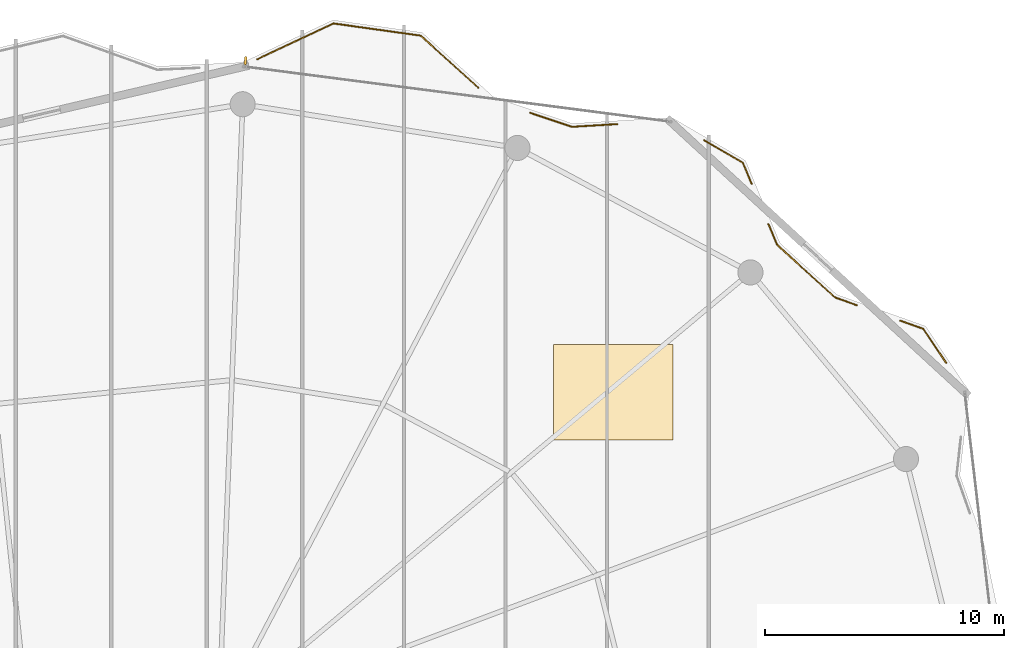
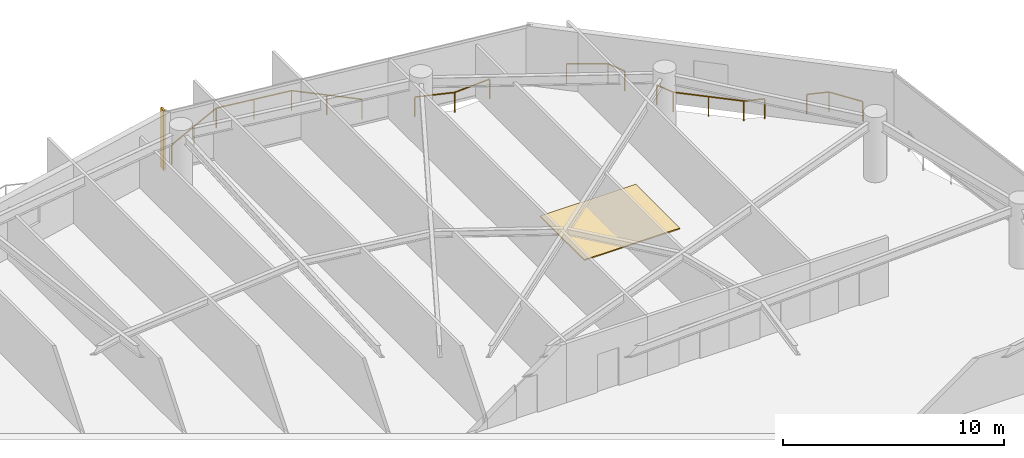
# One storey, part 31 of 31: 5 railings, 1 covering, 1 shading device.
"""IFC4 building model written with IfcOpenShell, lengths in metres."""

import ifcopenshell
import ifcopenshell.guid

model = None  # the IFC model being written
_history = None  # IfcOwnerHistory: only IFC2X3 demands one
_inside = {}  # id of a spatial element -> (the spatial element, [elements in it])
_under = {}  # id of a project, library or spatial element -> (it, [spatial elements below it])
_declared = {}  # id of a project -> (the project, [libraries it declares])
_typed = {}  # id of a type object -> (the type object, [elements of that type])
_made_of = {}  # id of a material, layer set ... -> (it, [elements and type objects made of it])


def new_model(schema):
    """Start an empty IFC model of exactly this schema.

    Asked for "IFC4X3", IfcOpenShell would pick the latest addendum, in which some entities
    have other attributes; the version numbers below select the first issue.
    IFC2X3 requires an IfcOwnerHistory on every rooted entity: one is made here for all.
    """
    global model, _history
    if schema == "IFC4X3":
        model = ifcopenshell.file(schema_version=(4, 3, 0, 0))
    else:
        model = ifcopenshell.file(schema=schema)
    _inside.clear()
    _under.clear()
    _declared.clear()
    _typed.clear()
    _made_of.clear()
    _history = None
    if model.schema == "IFC2X3":
        org = make("IfcOrganization", Name="unknown")
        user = make(
            "IfcPersonAndOrganization",
            ThePerson=make("IfcPerson", FamilyName="unknown"),
            TheOrganization=org,
        )
        app = make(
            "IfcApplication",
            ApplicationDeveloper=org,
            Version="unknown",
            ApplicationFullName="unknown",
            ApplicationIdentifier="unknown",
        )
        _history = make(
            "IfcOwnerHistory",
            OwningUser=user,
            OwningApplication=app,
            ChangeAction="ADDED",
            CreationDate=0,
        )
    return model


def make(cls, **values):
    """One entity of the class cls with the attributes given. An attribute that is None is left unset."""
    return model.create_entity(
        cls, **{name: value for name, value in values.items() if value is not None}
    )


def rooted(cls, **values):
    """An entity with a GlobalId (a new one), such as an element, a storey or a relation."""
    return make(cls, GlobalId=ifcopenshell.guid.new(), OwnerHistory=_history, **values)


def si_unit(unit_type, name, prefix=None):
    """IfcSIUnit, for example si_unit("LENGTHUNIT", "METRE", prefix="MILLI")."""
    return make("IfcSIUnit", UnitType=unit_type, Prefix=prefix, Name=name)


def assignment(units):
    """IfcUnitAssignment: the units of a project."""
    return None if units is None else make("IfcUnitAssignment", Units=units)


def point(xyz):
    """IfcCartesianPoint."""
    return None if xyz is None else make("IfcCartesianPoint", Coordinates=xyz)


def direction(xyz):
    """IfcDirection."""
    return None if xyz is None else make("IfcDirection", DirectionRatios=xyz)


def frame(location, z_axis=None, x_axis=None):
    """IfcAxis2Placement3D, a coordinate frame: its origin and axes. An axis left out is left unset."""
    return make(
        "IfcAxis2Placement3D",
        Location=point(location),
        Axis=direction(z_axis),
        RefDirection=direction(x_axis),
    )


def frame_2d(location, x_axis=None):
    """IfcAxis2Placement2D, a coordinate frame in the plane: its origin and x axis."""
    return make(
        "IfcAxis2Placement2D", Location=point(location), RefDirection=direction(x_axis)
    )


def origin():
    """The frame at (0, 0, 0) with its axes left unset."""
    return frame((0.0, 0.0, 0.0))


def origin_2d():
    """The frame at (0, 0) in the plane with its x axis left unset."""
    return frame_2d((0.0, 0.0))


def place(relative_to, where):
    """IfcLocalPlacement: puts the frame where relative to a parent placement (None: the world)."""
    return make(
        "IfcLocalPlacement", PlacementRelTo=relative_to, RelativePlacement=where
    )


def context(
    kind, dimensions, precision=None, world=None, true_north=None, identifier=None
):
    """IfcGeometricRepresentationContext, for example the 3D "Model" context."""
    return make(
        "IfcGeometricRepresentationContext",
        ContextIdentifier=identifier,
        ContextType=kind,
        CoordinateSpaceDimension=dimensions,
        Precision=precision,
        WorldCoordinateSystem=world,
        TrueNorth=true_north,
    )


def subcontext(parent, identifier, kind, view, scale=None):
    """IfcGeometricRepresentationSubContext, for example "Body" below "Model"."""
    return make(
        "IfcGeometricRepresentationSubContext",
        ContextIdentifier=identifier,
        ContextType=kind,
        ParentContext=parent,
        TargetScale=scale,
        TargetView=view,
    )


def project(units=None, contexts=None):
    """IfcProject with its units and contexts."""
    return rooted(
        "IfcProject",
        Name="project",
        RepresentationContexts=contexts,
        UnitsInContext=assignment(units),
    )


def spatial(cls, under=None, at=None, **own):
    """A site, building, storey or space (cls), placed at a placement, below another one or the project."""
    s = rooted(cls, ObjectPlacement=at, **own)
    if under is not None:
        _under.setdefault(under.id(), (under, []))[1].append(s)
    return s


def polyline(points):
    """IfcPolyline through the points."""
    return make("IfcPolyline", Points=[point(p) for p in points])


def profile(cls, at=None, kind="AREA", **sizes):
    """A parametric profile (cls). Its sizes go by their IFC names, for example OverallWidth=200.0."""
    return make(cls, ProfileType=kind, Position=at, **sizes)


def rectangle(**sizes):
    """IfcRectangleProfileDef."""
    return profile("IfcRectangleProfileDef", **sizes)


def outline(outer, holes=None, kind="AREA"):
    """IfcArbitraryClosedProfileDef: a profile drawn as a closed curve; with holes, ...WithVoids."""
    if holes is None:
        return make("IfcArbitraryClosedProfileDef", ProfileType=kind, OuterCurve=outer)
    return make(
        "IfcArbitraryProfileDefWithVoids",
        ProfileType=kind,
        OuterCurve=outer,
        InnerCurves=holes,
    )


def extrude(swept, where, along, depth):
    """IfcExtrudedAreaSolid: the profile swept, set in the frame where, extruded along a direction by depth."""
    return make(
        "IfcExtrudedAreaSolid",
        SweptArea=swept,
        Position=where,
        ExtrudedDirection=direction(along),
        Depth=depth,
    )


def shape(context_of_items, identifier, shape_type, items):
    """IfcShapeRepresentation: the items that make up one representation, for example the "Body"."""
    return make(
        "IfcShapeRepresentation",
        ContextOfItems=context_of_items,
        RepresentationIdentifier=identifier,
        RepresentationType=shape_type,
        Items=items,
    )


def material(Name=None, Category=None):
    """IfcMaterial."""
    return make("IfcMaterial", Name=Name, Category=Category)


def layer(
    of_material, thickness, ventilated=None, Name=None, Category=None, Priority=None
):
    """IfcMaterialLayer: one layer of a wall or slab, of a material (None: an air gap)."""
    return make(
        "IfcMaterialLayer",
        Material=of_material,
        LayerThickness=thickness,
        IsVentilated=ventilated,
        Name=Name,
        Category=Category,
        Priority=Priority,
    )


def layer_set(layers, Name=None):
    """IfcMaterialLayerSet."""
    return make("IfcMaterialLayerSet", MaterialLayers=layers, LayerSetName=Name)


def made_of(thing, what):
    """Note that an element or type object is made of a material, layer set ...; save() writes the relation."""
    if what is not None:
        _made_of.setdefault(what.id(), (what, []))[1].append(thing)
    return thing


def type_object(cls, material=None, **own):
    """A type object (cls), such as IfcWallType, which elements share."""
    return made_of(rooted(cls, **own), material)


def element(
    cls,
    number,
    at=None,
    inside=None,
    cuts=None,
    type_object=None,
    material=None,
    context=None,
    identifier="Body",
    shape_type=None,
    held_by="IfcProductDefinitionShape",
    body=None,
    shapes=None,
    **own,
):
    """One element of the class cls, such as IfcWall. Its Tag is "e" and its number.

    at: its placement. inside: the storey or other place that contains it. cuts: it is an
    opening in that element (IfcRelVoidsElement). A single representation is given by context,
    identifier, shape_type and body (its items); several are given by shapes. held_by: the class
    of the entity that holds the representations. save() writes the other relations.
    """
    e = rooted(cls, Tag="e%d" % number, ObjectPlacement=at, **own)
    if body is not None:
        shapes = [shape(context, identifier, shape_type, body)]
    if shapes is not None:
        e.Representation = make(held_by, Representations=shapes)
    if inside is not None:
        _inside.setdefault(inside.id(), (inside, []))[1].append(e)
    if cuts is not None:
        rooted(
            "IfcRelVoidsElement", RelatingBuildingElement=cuts, RelatedOpeningElement=e
        )
    if type_object is not None:
        _typed.setdefault(type_object.id(), (type_object, []))[1].append(e)
    return made_of(e, material)


def aggregate(whole, parts):
    """IfcRelAggregates: a whole, such as a stair, and the parts it consists of."""
    return rooted("IfcRelAggregates", RelatingObject=whole, RelatedObjects=parts)


def save(model, path):
    """Write the relations noted so far, then the file.

    IfcRelAggregates (storeys below a building ...), IfcRelContainedInSpatialStructure (elements
    in a storey), IfcRelDefinesByType, IfcRelAssociatesMaterial and IfcRelDeclares: one each for
    every whole, place, type object, material and project.
    """
    for whole, parts in _under.values():
        aggregate(whole, parts)
    for where, things in _inside.values():
        rooted(
            "IfcRelContainedInSpatialStructure",
            RelatedElements=things,
            RelatingStructure=where,
        )
    for kind, things in _typed.values():
        rooted("IfcRelDefinesByType", RelatedObjects=things, RelatingType=kind)
    for what, things in _made_of.values():
        rooted("IfcRelAssociatesMaterial", RelatedObjects=things, RelatingMaterial=what)
    for by, libraries in _declared.values():
        rooted("IfcRelDeclares", RelatingContext=by, RelatedDefinitions=libraries)
    model.write(path)


model = new_model("IFC4")

# Units and contexts
model_context = context("Model", 3, precision=1e-05, world=origin(), true_north=direction((0.0, 1.0)))
body_context = subcontext(model_context, "Body", "Model", "MODEL_VIEW")
ifc_project = project(units=[si_unit("LENGTHUNIT", "METRE"), si_unit("AREAUNIT", "SQUARE_METRE"), si_unit("VOLUMEUNIT", "CUBIC_METRE"), si_unit("PLANEANGLEUNIT", "RADIAN"), si_unit("MASSUNIT", "GRAM", prefix="KILO")], contexts=[model_context])

# Site, building, storey
site_placement = place(None, origin())
site = spatial("IfcSite", under=ifc_project, at=site_placement, CompositionType="ELEMENT")
building_placement = place(site_placement, origin())
building = spatial("IfcBuilding", under=site, at=building_placement, Name="Kazevale Care Tower and Concert Hall", CompositionType="ELEMENT")
storey_placement = place(building_placement, frame((0.0, 0.0, 187.199951171875)))
storey = spatial("IfcBuildingStorey", under=building, at=storey_placement, Name="L49", CompositionType="ELEMENT", Elevation=187.199951171875)

# Railings
ifc_material_1 = material(Name="Anodised Bronze Aluminium and Laminated Glass", Category="aluminium")
railing_type = type_object("IfcRailingType", Name="Balcony and Terrace Balustrade 1120", PredefinedType="BALUSTRADE", material=ifc_material_1)
railing_1_placement = place(storey_placement, frame((45.610107421875, 63.931884765625, 0.0)))
element("IfcRailing", 1, at=railing_1_placement, inside=storey, type_object=railing_type, Name="rail:L49:perim:6", PredefinedType="BALUSTRADE", context=body_context, shape_type="SweptSolid", body=[
    extrude(rectangle(XDim=0.048095703125, YDim=0.048095703125, at=origin_2d()), frame((0.0, 0.0, 1.09619140625), z_axis=(0.905100997077, 0.42519664285, 0.0), x_axis=(-0.42519664285, 0.905100997077, 0.0)), (0.0, 0.0, 1.0), 3.525390625),
    extrude(rectangle(XDim=0.048095703125, YDim=0.048095703125, at=origin_2d()), frame((3.19091796875, 1.4990234375, 1.09619140625), z_axis=(0.990362854901, -0.138496987809, 0.0), x_axis=(0.138496987809, 0.990362854901, 0.0)), (0.0, 0.0, 1.0), 3.682373046875),
    extrude(rectangle(XDim=0.048095703125, YDim=0.048095703125, at=origin_2d()), frame((6.837890625, 0.989013671875, 1.09619140625), z_axis=(0.74237767764, -0.669981629407, 0.0), x_axis=(0.669981629407, 0.74237767764, 0.0)), (0.0, 0.0, 1.0), 3.260986328125),
    extrude(rectangle(XDim=0.0419921875, YDim=0.0419921875, at=origin_2d()), origin(), (0.0, 0.0, 1.0), 1.072021484375),
    extrude(rectangle(XDim=0.0419921875, YDim=0.0419921875, at=origin_2d()), frame((1.595458984375, 0.74951171875, 0.0)), (0.0, 0.0, 1.0), 1.072021484375),
    extrude(rectangle(XDim=0.0419921875, YDim=0.0419921875, at=origin_2d()), frame((3.19091796875, 1.4990234375, 0.0)), (0.0, 0.0, 1.0), 1.072021484375),
    extrude(rectangle(XDim=0.0419921875, YDim=0.0419921875, at=origin_2d()), frame((5.014404296875, 1.244140625, 0.0)), (0.0, 0.0, 1.0), 1.072021484375),
    extrude(rectangle(XDim=0.0419921875, YDim=0.0419921875, at=origin_2d()), frame((6.837890625, 0.989013671875, 0.0)), (0.0, 0.0, 1.0), 1.072021484375),
    extrude(rectangle(XDim=0.0419921875, YDim=0.0419921875, at=origin_2d()), frame((8.04833984375, -0.103515625, 0.0)), (0.0, 0.0, 1.0), 1.072021484375),
    extrude(rectangle(XDim=0.0419921875, YDim=0.0419921875, at=origin_2d()), frame((9.2587890625, -1.19580078125, 0.0)), (0.0, 0.0, 1.0), 1.072021484375),
])
railing_2_placement = place(storey_placement, frame((57.032958984375, 61.68994140625, 0.0)))
element("IfcRailing", 2, at=railing_2_placement, inside=storey, type_object=railing_type, Name="rail:L49:perim:7", PredefinedType="BALUSTRADE", context=body_context, shape_type="SweptSolid", body=[
    extrude(rectangle(XDim=0.048095703125, YDim=0.048095703125, at=origin_2d()), frame((0.0, 0.0, 1.09619140625), z_axis=(0.948045105832, -0.318135941554, 0.0), x_axis=(0.318135941554, 0.948045105832, 0.0)), (0.0, 0.0, 1.0), 1.841796875),
    extrude(rectangle(XDim=0.048095703125, YDim=0.048095703125, at=origin_2d()), frame((1.74609375, -0.5859375, 1.09619140625), z_axis=(0.998181354811, 0.060282525723, 0.0), x_axis=(-0.060282525723, 0.998181354811, 0.0)), (0.0, 0.0, 1.0), 1.907470703125),
    extrude(rectangle(XDim=0.0419921875, YDim=0.0419921875, at=origin_2d()), origin(), (0.0, 0.0, 1.0), 1.072021484375),
    extrude(rectangle(XDim=0.0419921875, YDim=0.0419921875, at=origin_2d()), frame((1.74609375, -0.5859375, 0.0)), (0.0, 0.0, 1.0), 1.072021484375),
    extrude(rectangle(XDim=0.0419921875, YDim=0.0419921875, at=origin_2d()), frame((3.650146484375, -0.470947265625, 0.0)), (0.0, 0.0, 1.0), 1.072021484375),
])
railing_3_placement = place(storey_placement, frame((64.31298828125, 60.54296875, 0.0)))
element("IfcRailing", 3, at=railing_3_placement, inside=storey, type_object=railing_type, Name="rail:L49:perim:8", PredefinedType="BALUSTRADE", context=body_context, shape_type="SweptSolid", body=[
    extrude(rectangle(XDim=0.048095703125, YDim=0.048095703125, at=origin_2d()), frame((0.0, 0.0, 1.09619140625), z_axis=(0.863897008105, -0.503668501483, 0.0), x_axis=(0.503668501483, 0.863897008105, 0.0)), (0.0, 0.0, 1.0), 1.8740234375),
    extrude(rectangle(XDim=0.048095703125, YDim=0.048095703125, at=origin_2d()), frame((1.618896484375, -0.94384765625, 1.09619140625), z_axis=(0.384958845263, -0.922933739471, 0.0), x_axis=(0.922933739471, 0.384958845263, 0.0)), (0.0, 0.0, 1.0), 0.958984375),
    extrude(rectangle(XDim=0.0419921875, YDim=0.0419921875, at=origin_2d()), origin(), (0.0, 0.0, 1.0), 1.072021484375),
    extrude(rectangle(XDim=0.0419921875, YDim=0.0419921875, at=origin_2d()), frame((1.618896484375, -0.94384765625, 0.0)), (0.0, 0.0, 1.0), 1.072021484375),
    extrude(rectangle(XDim=0.0419921875, YDim=0.0419921875, at=origin_2d()), frame((1.988037109375, -1.828857421875, 0.0)), (0.0, 0.0, 1.0), 1.072021484375),
])
railing_4_placement = place(storey_placement, frame((67.0029296875, 57.037109375, 0.0)))
element("IfcRailing", 4, at=railing_4_placement, inside=storey, type_object=railing_type, Name="rail:L49:perim:9", PredefinedType="BALUSTRADE", context=body_context, shape_type="SweptSolid", body=[
    extrude(rectangle(XDim=0.048095703125, YDim=0.048095703125, at=origin_2d()), frame((0.0, 0.0, 1.09619140625), z_axis=(0.385400252226, -0.922749503161, 0.0), x_axis=(0.922749503161, 0.385400252226, 0.0)), (0.0, 0.0, 1.0), 0.949462890625),
    extrude(rectangle(XDim=0.048095703125, YDim=0.048095703125, at=origin_2d()), frame((0.365966796875, -0.876220703125, 1.09619140625), z_axis=(0.740453598396, -0.672107482939, 0.0), x_axis=(0.672107482939, 0.740453598396, 0.0)), (0.0, 0.0, 1.0), 3.2685546875),
    extrude(rectangle(XDim=0.048095703125, YDim=0.048095703125, at=origin_2d()), frame((2.7861328125, -3.072998046875, 1.09619140625), z_axis=(0.941931266787, -0.33580573052, 0.0), x_axis=(0.33580573052, 0.941931266787, 0.0)), (0.0, 0.0, 1.0), 0.9619140625),
    extrude(rectangle(XDim=0.0419921875, YDim=0.0419921875, at=origin_2d()), origin(), (0.0, 0.0, 1.0), 1.072021484375),
    extrude(rectangle(XDim=0.0419921875, YDim=0.0419921875, at=origin_2d()), frame((0.365966796875, -0.876220703125, 0.0)), (0.0, 0.0, 1.0), 1.072021484375),
    extrude(rectangle(XDim=0.0419921875, YDim=0.0419921875, at=origin_2d()), frame((1.576171875, -1.974609375, 0.0)), (0.0, 0.0, 1.0), 1.072021484375),
    extrude(rectangle(XDim=0.0419921875, YDim=0.0419921875, at=origin_2d()), frame((2.7861328125, -3.072998046875, 0.0)), (0.0, 0.0, 1.0), 1.072021484375),
    extrude(rectangle(XDim=0.0419921875, YDim=0.0419921875, at=origin_2d()), frame((3.692138671875, -3.39599609375, 0.0)), (0.0, 0.0, 1.0), 1.072021484375),
])
railing_5_placement = place(storey_placement, frame((72.527099609375, 52.989013671875, 0.0)))
element("IfcRailing", 5, at=railing_5_placement, inside=storey, type_object=railing_type, Name="rail:L49:perim:10", PredefinedType="BALUSTRADE", context=body_context, shape_type="SweptSolid", body=[
    extrude(rectangle(XDim=0.048095703125, YDim=0.048095703125, at=origin_2d()), frame((0.0, 0.0, 1.09619140625), z_axis=(0.941882879888, -0.335941424319, 0.0), x_axis=(0.335941424319, 0.941882879888, 0.0)), (0.0, 0.0, 1.0), 1.01806640625),
    extrude(rectangle(XDim=0.048095703125, YDim=0.048095703125, at=origin_2d()), frame((0.958984375, -0.342041015625, 1.09619140625), z_axis=(0.558028145129, -0.829822022631, 0.0), x_axis=(0.829822022631, 0.558028145129, 0.0)), (0.0, 0.0, 1.0), 1.70751953125),
    extrude(rectangle(XDim=0.0419921875, YDim=0.0419921875, at=origin_2d()), origin(), (0.0, 0.0, 1.0), 1.072021484375),
    extrude(rectangle(XDim=0.0419921875, YDim=0.0419921875, at=origin_2d()), frame((0.958984375, -0.342041015625, 0.0)), (0.0, 0.0, 1.0), 1.072021484375),
    extrude(rectangle(XDim=0.0419921875, YDim=0.0419921875, at=origin_2d()), frame((1.911865234375, -1.759033203125, 0.0)), (0.0, 0.0, 1.0), 1.072021484375),
])

# Covering
ifc_material_2 = material(Name="EPDM Roofing Membrane")
ifc_layer = layer(ifc_material_2, 0.080078125)
ifc_layer_set = layer_set([ifc_layer], Name="EPDM Roofing Membrane")
covering_type = type_object("IfcCoveringType", Name="Inverted Insulated EPDM Roofing Membrane", PredefinedType="ROOFING", material=ifc_layer_set)
covering_placement = place(storey_placement, origin())
element("IfcCovering", 6, at=covering_placement, inside=storey, type_object=covering_type, Name="cov:L49:setback_rfg", PredefinedType="ROOFING", context=body_context, shape_type="SweptSolid", body=[
    extrude(outline(polyline([(58.0, 52.0), (63.0, 52.0), (63.0, 48.0), (58.0, 48.0), (58.0, 52.0)])), origin(), (0.0, 0.0, 1.0), 0.06005859375),
])

# Shading device
ifc_material_3 = material(Name="Anodised Bronze Aluminium", Category="aluminium")
shading_device_type = type_object("IfcShadingDeviceType", Name="Waist Anodised Bronze-Stone Fin FIN-02", PredefinedType="USERDEFINED", material=ifc_material_3)
shading_device_placement = place(storey_placement, frame((45.116455078125, 63.870849609375, 0.0), z_axis=(0.0, 0.0, 1.0), x_axis=(0.128103248172, 0.991760837, 0.0)))
element("IfcShadingDevice", 7, at=shading_device_placement, inside=storey, type_object=shading_device_type, Name="cw:L49:f16:fin", ObjectType="FIN", PredefinedType="USERDEFINED", context=body_context, shape_type="SweptSolid", body=[
    extrude(rectangle(XDim=0.340087890625, YDim=0.10009765625, at=origin_2d()), origin(), (0.0, 0.0, 1.0), 3.280029296875),
])

save(model, "model.ifc")
